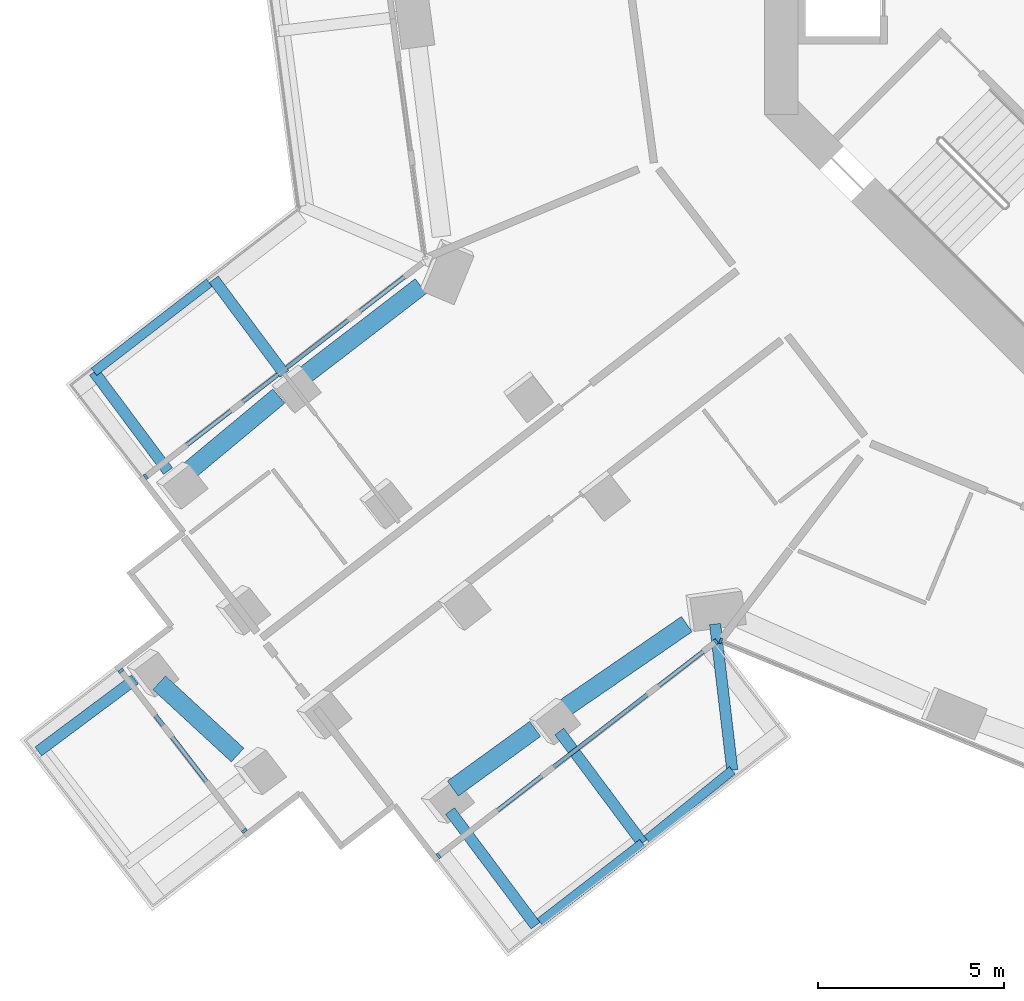
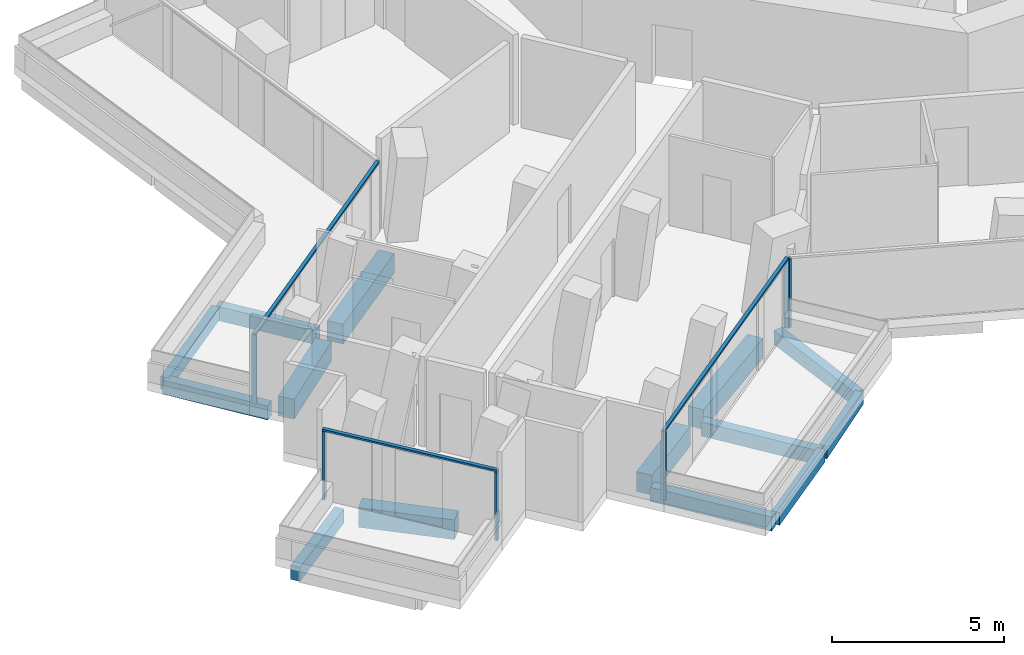
# One storey, part 2 of 27: 14 beams, 9 members, 4 elements without a shape of their own.
"""IFC4 building model written with IfcOpenShell, lengths in metres."""

from ifc_helpers import new_model, si_unit, direction, frame, origin, origin_2d, place, context, subcontext, project, spatial, rectangle, extrude, material, layer, layer_set, material_profile, profile_set, type_object, element, aggregate, save


model = new_model("IFC4")

# Units and contexts
model_context = context("Model", 3, precision=1e-05, world=origin(), true_north=direction((0.0, 1.0)))
body_context = subcontext(model_context, "Body", "Model", "MODEL_VIEW")
ifc_project = project(units=[si_unit("LENGTHUNIT", "METRE"), si_unit("AREAUNIT", "SQUARE_METRE"), si_unit("VOLUMEUNIT", "CUBIC_METRE"), si_unit("PLANEANGLEUNIT", "RADIAN"), si_unit("MASSUNIT", "GRAM", prefix="KILO")], contexts=[model_context])

# Site, building, storey
site_placement = place(None, origin())
site = spatial("IfcSite", under=ifc_project, at=site_placement, CompositionType="ELEMENT")
building_placement = place(site_placement, origin())
building = spatial("IfcBuilding", under=site, at=building_placement, Name="Verdalira Terraces Hotel", CompositionType="ELEMENT")
storey_placement = place(building_placement, frame((0.0, 0.0, 64.5)))
storey = spatial("IfcBuildingStorey", under=building, at=storey_placement, Name="L14", CompositionType="ELEMENT", Elevation=64.5)

# Beams
ifc_material_1 = material(Name="Concrete C40", Category="concrete")
ifc_material_profile_1 = material_profile(ifc_material_1, rectangle(XDim=0.300049, YDim=0.5, at=origin_2d()), Name="RC 300X500")
ifc_profile_set_1 = profile_set([ifc_material_profile_1], Name="Concrete C40")
beam_type_1 = type_object("IfcBeamType", Name="Balcony cantilever beam RC 300X500 C40", PredefinedType="BEAM", material=ifc_profile_set_1)
beam_1_placement = place(storey_placement, frame((-26.876221, -12.754395, -0.560059), z_axis=(-0.597888536, 0.801579253, 0.0), x_axis=(-0.801579253, -0.597888536, 0.0)))
element("IfcBeam", 1, at=beam_1_placement, inside=storey, type_object=beam_type_1, Name="Balcony cantilever beam R13-1", PredefinedType="BEAM", context=body_context, shape_type="SweptSolid", body=[
    extrude(rectangle(XDim=0.300049, YDim=0.5, at=origin_2d()), origin(), (0.0, 0.0, 1.0), 3.166748),
])
beam_2_placement = place(storey_placement, frame((-29.996582, -15.360596, -0.560059), z_axis=(-0.597869505, 0.801593447, 0.0), x_axis=(-0.801593447, -0.597869505, 0.0)))
element("IfcBeam", 2, at=beam_2_placement, inside=storey, type_object=beam_type_1, Name="Balcony cantilever beam R13-2", PredefinedType="BEAM", context=body_context, shape_type="SweptSolid", body=[
    extrude(rectangle(XDim=0.300049, YDim=0.5, at=origin_2d()), origin(), (0.0, 0.0, 1.0), 3.322021),
])
beam_3_placement = place(storey_placement, frame((-30.886719, -20.949219, -0.560059), z_axis=(-0.801593703, -0.597869162, 0.0), x_axis=(0.597869162, -0.801593703, 0.0)))
element("IfcBeam", 3, at=beam_3_placement, inside=storey, type_object=beam_type_1, Name="Balcony cantilever beam R19-1", PredefinedType="BEAM", context=body_context, shape_type="SweptSolid", body=[
    extrude(rectangle(XDim=0.300049, YDim=0.5, at=origin_2d()), origin(), (0.0, 0.0, 1.0), 3.229736),
])
beam_4_placement = place(storey_placement, frame((-22.431396, -24.478516, -0.560059), z_axis=(0.597911851, -0.801561862, 0.0), x_axis=(0.801561862, 0.597911851, 0.0)))
element("IfcBeam", 4, at=beam_4_placement, inside=storey, type_object=beam_type_1, Name="Balcony cantilever beam R24-1", PredefinedType="BEAM", context=body_context, shape_type="SweptSolid", body=[
    extrude(rectangle(XDim=0.300049, YDim=0.5, at=origin_2d()), origin(), (0.0, 0.0, 1.0), 3.838623),
])
beam_5_placement = place(storey_placement, frame((-19.500977, -22.346924, -0.560059), z_axis=(0.597874435, -0.80158977, 0.0), x_axis=(0.80158977, 0.597874435, 0.0)))
element("IfcBeam", 5, at=beam_5_placement, inside=storey, type_object=beam_type_1, Name="Balcony cantilever beam R24-2", PredefinedType="BEAM", context=body_context, shape_type="SweptSolid", body=[
    extrude(rectangle(XDim=0.300049, YDim=0.5, at=origin_2d()), origin(), (0.0, 0.0, 1.0), 3.734375),
])
beam_6_placement = place(storey_placement, frame((-15.321533, -19.462891, -0.560059), z_axis=(0.117002622, -0.993131606, 0.0), x_axis=(0.993131606, 0.117002622, 0.0)))
element("IfcBeam", 6, at=beam_6_placement, inside=storey, type_object=beam_type_1, Name="Balcony cantilever beam R24-3", PredefinedType="BEAM", context=body_context, shape_type="SweptSolid", body=[
    extrude(rectangle(XDim=0.300049, YDim=0.5, at=origin_2d()), origin(), (0.0, 0.0, 1.0), 3.949951),
])
ifc_material_2 = material(Name="Concrete C40", Category="concrete")
ifc_material_profile_2 = material_profile(ifc_material_2, rectangle(XDim=0.25, YDim=0.449951, at=origin_2d()), Name="RC 250X450")
ifc_profile_set_2 = profile_set([ifc_material_profile_2], Name="Concrete C40")
beam_type_2 = type_object("IfcBeamType", Name="Balcony edge beam RC 250X450 C40", PredefinedType="BEAM", material=ifc_profile_set_2)
beam_7_placement = place(storey_placement, frame((-28.888184, -10.307861, -0.534912), z_axis=(-0.791445642, -0.611239557, 0.0), x_axis=(0.611239557, -0.791445642, 0.0)))
element("IfcBeam", 7, at=beam_7_placement, inside=storey, type_object=beam_type_2, Name="Balcony edge beam R13-1", PredefinedType="BEAM", context=body_context, shape_type="SweptSolid", body=[
    extrude(rectangle(XDim=0.25, YDim=0.449951, at=origin_2d()), origin(), (0.0, 0.0, 1.0), 3.909912),
])
beam_8_placement = place(storey_placement, frame((-20.017578, -27.463623, -0.534912), z_axis=(0.791444177, 0.611241454, 0.0), x_axis=(-0.611241454, 0.791444177, 0.0)))
element("IfcBeam", 8, at=beam_8_placement, inside=storey, type_object=beam_type_2, Name="Balcony edge beam R24-1", PredefinedType="BEAM", context=body_context, shape_type="SweptSolid", body=[
    extrude(rectangle(XDim=0.25, YDim=0.449951, at=origin_2d()), origin(), (0.0, 0.0, 1.0), 3.473633),
])
beam_9_placement = place(storey_placement, frame((-17.151611, -25.245605, -0.534912), z_axis=(0.776541371, 0.630066265, 0.0), x_axis=(-0.630066265, 0.776541371, 0.0)))
element("IfcBeam", 9, at=beam_9_placement, inside=storey, type_object=beam_type_2, Name="Balcony edge beam R24-2", PredefinedType="BEAM", context=body_context, shape_type="SweptSolid", body=[
    extrude(rectangle(XDim=0.25, YDim=0.449951, at=origin_2d()), origin(), (0.0, 0.0, 1.0), 2.951904),
])

# Curtain wall, member
ifc_material_3 = material(Name="Clear glass", Category="glass")
ifc_layer_1 = layer(ifc_material_3, 0.14990234375)
ifc_layer_set_1 = layer_set([ifc_layer_1], Name="CW1 curtain wall")
curtain_wall_type_1 = type_object("IfcCurtainWallType", Name="CW1 curtain wall", PredefinedType="NOTDEFINED", material=ifc_layer_set_1)
curtain_wall_1_placement = place(storey_placement, origin())
curtain_wall_1 = element("IfcCurtainWall", 10, at=curtain_wall_1_placement, inside=storey, type_object=curtain_wall_type_1, Name="CW1 curtain wall L14 edge 25", PredefinedType="NOTDEFINED")
ifc_material_4 = material(Name="Terracotta frame", Category="masonry")
ifc_material_profile_3 = material_profile(ifc_material_4, rectangle(XDim=0.060059, YDim=0.149902, at=origin_2d()), Name="MU 60x150")
ifc_profile_set_3 = profile_set([ifc_material_profile_3], Name="Terracotta frame")
member_type_1 = type_object("IfcMemberType", Name="CW1 mullion 60x150", PredefinedType="MULLION", material=ifc_profile_set_3)
member_1_placement = place(storey_placement, frame((-15.169678, -19.914307, 0.0), z_axis=(0.0, 0.0, 1.0), x_axis=(0.925077207, -0.379779096, 0.0)))
member_1 = element("IfcMember", 11, at=member_1_placement, type_object=member_type_1, Name="CW1 mullion", PredefinedType="MULLION", context=body_context, shape_type="SweptSolid", body=[
    extrude(rectangle(XDim=0.060059, YDim=0.149902, at=origin_2d()), origin(), (0.0, 0.0, 1.0), 2.425049),
])
aggregate(curtain_wall_1, [member_1])

ifc_material_5 = material(Name="Clear glass", Category="glass")
ifc_layer_2 = layer(ifc_material_5, 0.14990234375)
ifc_layer_set_2 = layer_set([ifc_layer_2], Name="CW2 curtain wall")
curtain_wall_type_2 = type_object("IfcCurtainWallType", Name="CW2 curtain wall", PredefinedType="NOTDEFINED", material=ifc_layer_set_2)
curtain_wall_2_placement = place(storey_placement, origin())
curtain_wall_2 = element("IfcCurtainWall", 12, at=curtain_wall_2_placement, inside=storey, type_object=curtain_wall_type_2, Name="CW2 curtain wall L14 edge 14", PredefinedType="NOTDEFINED")
ifc_material_6 = material(Name="Terracotta frame", Category="masonry")
ifc_material_profile_4 = material_profile(ifc_material_6, rectangle(XDim=0.070068, YDim=0.149902, at=origin_2d()), Name="MU 70x150")
ifc_profile_set_4 = profile_set([ifc_material_profile_4], Name="Terracotta frame")
member_type_2 = type_object("IfcMemberType", Name="CW2 mullion 70x150", PredefinedType="MULLION", material=ifc_profile_set_4)
member_2_placement = place(storey_placement, frame((-30.594238, -15.510742, 0.0), z_axis=(0.0, 0.0, 1.0), x_axis=(-0.791436948, -0.611250814, 0.0)))
member_2 = element("IfcMember", 13, at=member_2_placement, type_object=member_type_2, Name="CW2 mullion", PredefinedType="MULLION", context=body_context, shape_type="SweptSolid", body=[
    extrude(rectangle(XDim=0.070068, YDim=0.149902, at=origin_2d()), origin(), (0.0, 0.0, 1.0), 2.425049),
])

# Curtain wall, members
curtain_wall_3_placement = place(storey_placement, origin())
curtain_wall_3 = element("IfcCurtainWall", 14, at=curtain_wall_3_placement, inside=storey, type_object=curtain_wall_type_2, Name="CW2 curtain wall L14 edge 24", PredefinedType="NOTDEFINED")
member_3_placement = place(storey_placement, frame((-22.739502, -25.680664, 0.0), z_axis=(0.0, 0.0, 1.0), x_axis=(0.791436948, 0.611250814, 0.0)))
member_3 = element("IfcMember", 15, at=member_3_placement, type_object=member_type_2, Name="CW2 mullion", PredefinedType="MULLION", context=body_context, shape_type="SweptSolid", body=[
    extrude(rectangle(XDim=0.070068, YDim=0.149902, at=origin_2d()), origin(), (0.0, 0.0, 1.0), 2.425049),
])
member_4_placement = place(storey_placement, frame((-15.299316, -19.934326, 0.0), z_axis=(0.0, 0.0, 1.0), x_axis=(0.791436948, 0.611250814, 0.0)))
member_4 = element("IfcMember", 16, at=member_4_placement, type_object=member_type_2, Name="CW2 mullion", PredefinedType="MULLION", context=body_context, shape_type="SweptSolid", body=[
    extrude(rectangle(XDim=0.070068, YDim=0.149902, at=origin_2d()), origin(), (0.0, 0.0, 1.0), 2.425049),
])

# Member
ifc_material_7 = material(Name="Terracotta frame", Category="masonry")
ifc_material_profile_5 = material_profile(ifc_material_7, rectangle(XDim=0.11499, YDim=0.064941, at=origin_2d()), Name="TR 65x115")
ifc_profile_set_5 = profile_set([ifc_material_profile_5], Name="Terracotta frame")
member_type_3 = type_object("IfcMemberType", Name="CW2 transom 65x115", PredefinedType="USERDEFINED", material=ifc_profile_set_5)
member_5_placement = place(storey_placement, frame((-23.126221, -9.74292, 2.45752), z_axis=(-0.791438044, -0.611249394, 0.0), x_axis=(0.611249394, -0.791438044, 0.0)))
member_5 = element("IfcMember", 17, at=member_5_placement, type_object=member_type_3, Name="CW2 transom", ObjectType="TRANSOM", PredefinedType="USERDEFINED", context=body_context, shape_type="SweptSolid", body=[
    extrude(rectangle(XDim=0.11499, YDim=0.064941, at=origin_2d()), origin(), (0.0, 0.0, 1.0), 9.470947),
])

aggregate(curtain_wall_2, [member_2, member_5])

member_6_placement = place(storey_placement, frame((-22.767334, -25.702148, 2.45752), z_axis=(0.791425574, 0.611265541, 0.0), x_axis=(-0.611265541, 0.791425574, 0.0)))
member_6 = element("IfcMember", 18, at=member_6_placement, type_object=member_type_3, Name="CW2 transom", ObjectType="TRANSOM", PredefinedType="USERDEFINED", context=body_context, shape_type="SweptSolid", body=[
    extrude(rectangle(XDim=0.11499, YDim=0.064941, at=origin_2d()), origin(), (0.0, 0.0, 1.0), 9.470947),
])

aggregate(curtain_wall_3, [member_3, member_4, member_6])

# Curtain wall, members
ifc_material_8 = material(Name="Clear glass", Category="glass")
ifc_layer_3 = layer(ifc_material_8, 0.14990234375)
ifc_layer_set_3 = layer_set([ifc_layer_3], Name="CW3 curtain wall")
curtain_wall_type_3 = type_object("IfcCurtainWallType", Name="CW3 curtain wall", PredefinedType="NOTDEFINED", material=ifc_layer_set_3)
curtain_wall_4_placement = place(storey_placement, origin())
curtain_wall_4 = element("IfcCurtainWall", 19, at=curtain_wall_4_placement, inside=storey, type_object=curtain_wall_type_3, Name="CW3 curtain wall L14 edge 19", PredefinedType="NOTDEFINED")
ifc_material_9 = material(Name="Terracotta frame", Category="masonry")
ifc_material_profile_6 = material_profile(ifc_material_9, rectangle(XDim=0.080078, YDim=0.149902, at=origin_2d()), Name="MU 80x150")
ifc_profile_set_6 = profile_set([ifc_material_profile_6], Name="Terracotta frame")
member_type_4 = type_object("IfcMemberType", Name="CW3 mullion 80x150", PredefinedType="MULLION", material=ifc_profile_set_6)
member_7_placement = place(storey_placement, frame((-31.259521, -20.718506, 0.0), z_axis=(0.0, 0.0, 1.0), x_axis=(0.611250814, -0.791436948, 0.0)))
member_7 = element("IfcMember", 20, at=member_7_placement, type_object=member_type_4, Name="CW3 mullion", PredefinedType="MULLION", context=body_context, shape_type="SweptSolid", body=[
    extrude(rectangle(XDim=0.080078, YDim=0.149902, at=origin_2d()), origin(), (0.0, 0.0, 1.0), 2.425049),
])
member_8_placement = place(storey_placement, frame((-27.946533, -25.008301, 0.0), z_axis=(0.0, 0.0, 1.0), x_axis=(0.611250814, -0.791436948, 0.0)))
member_8 = element("IfcMember", 21, at=member_8_placement, type_object=member_type_4, Name="CW3 mullion", PredefinedType="MULLION", context=body_context, shape_type="SweptSolid", body=[
    extrude(rectangle(XDim=0.080078, YDim=0.149902, at=origin_2d()), origin(), (0.0, 0.0, 1.0), 2.425049),
])
ifc_material_10 = material(Name="Terracotta frame", Category="masonry")
ifc_material_profile_7 = material_profile(ifc_material_10, rectangle(XDim=0.120117, YDim=0.064941, at=origin_2d()), Name="TR 65x120")
ifc_profile_set_7 = profile_set([ifc_material_profile_7], Name="Terracotta frame")
member_type_5 = type_object("IfcMemberType", Name="CW3 transom 65x120", PredefinedType="USERDEFINED", material=ifc_profile_set_7)
member_9_placement = place(storey_placement, frame((-31.28418, -20.687012, 2.45752), z_axis=(0.611281991, -0.791412868, 0.0), x_axis=(0.791412868, 0.611281991, 0.0)))
member_9 = element("IfcMember", 22, at=member_9_placement, type_object=member_type_5, Name="CW3 transom", ObjectType="TRANSOM", PredefinedType="USERDEFINED", context=body_context, shape_type="SweptSolid", body=[
    extrude(rectangle(XDim=0.120117, YDim=0.064941, at=origin_2d()), origin(), (0.0, 0.0, 1.0), 5.5),
])
aggregate(curtain_wall_4, [member_7, member_8, member_9])

# Beams
ifc_material_11 = material(Name="Concrete C70", Category="concrete")
ifc_material_profile_8 = material_profile(ifc_material_11, rectangle(XDim=0.5, YDim=0.699951, at=origin_2d()), Name="RC 500X700")
ifc_profile_set_8 = profile_set([ifc_material_profile_8], Name="Concrete C70")
beam_type_3 = type_object("IfcBeamType", Name="Spandrel beam RC 500X700 C70", PredefinedType="SPANDREL", material=ifc_profile_set_8)
beam_10_placement = place(storey_placement, frame((-23.213867, -10.397217, -0.659912), z_axis=(-0.79295935, -0.609274544, 0.0), x_axis=(0.609274544, -0.79295935, 0.0)))
element("IfcBeam", 23, at=beam_10_placement, inside=storey, type_object=beam_type_3, Name="Spandrel beam B14", PredefinedType="SPANDREL", context=body_context, shape_type="SweptSolid", body=[
    extrude(rectangle(XDim=0.5, YDim=0.699951, at=origin_2d()), origin(), (0.0, 0.0, 1.0), 3.895752),
])
beam_11_placement = place(storey_placement, frame((-27.026123, -13.349609, -0.659912), z_axis=(-0.768489096, -0.639862883, 0.0), x_axis=(0.639862883, -0.768489096, 0.0)))
element("IfcBeam", 24, at=beam_11_placement, inside=storey, type_object=beam_type_3, Name="Spandrel beam B15", PredefinedType="SPANDREL", context=body_context, shape_type="SweptSolid", body=[
    extrude(rectangle(XDim=0.5, YDim=0.699951, at=origin_2d()), origin(), (0.0, 0.0, 1.0), 3.137451),
])
beam_12_placement = place(storey_placement, frame((-30.235352, -21.035889, -0.659912), z_axis=(0.734832848, -0.678248248, 0.0), x_axis=(0.678248248, 0.734832848, 0.0)))
element("IfcBeam", 25, at=beam_12_placement, inside=storey, type_object=beam_type_3, Name="Spandrel beam B16", PredefinedType="SPANDREL", context=body_context, shape_type="SweptSolid", body=[
    extrude(rectangle(XDim=0.5, YDim=0.699951, at=origin_2d()), origin(), (0.0, 0.0, 1.0), 2.86499),
])
beam_13_placement = place(storey_placement, frame((-22.35498, -23.876709, -0.659912), z_axis=(0.809440207, 0.587202309, 0.0), x_axis=(-0.587202309, 0.809440207, 0.0)))
element("IfcBeam", 26, at=beam_13_placement, inside=storey, type_object=beam_type_3, Name="Spandrel beam B17", PredefinedType="SPANDREL", context=body_context, shape_type="SweptSolid", body=[
    extrude(rectangle(XDim=0.5, YDim=0.699951, at=origin_2d()), origin(), (0.0, 0.0, 1.0), 2.726562),
])
beam_14_placement = place(storey_placement, frame((-19.39624, -21.744873, -0.659912), z_axis=(0.823971082, 0.566631852, 0.0), x_axis=(-0.566631852, 0.823971082, 0.0)))
element("IfcBeam", 27, at=beam_14_placement, inside=storey, type_object=beam_type_3, Name="Spandrel beam B18", PredefinedType="SPANDREL", context=body_context, shape_type="SweptSolid", body=[
    extrude(rectangle(XDim=0.5, YDim=0.699951, at=origin_2d()), origin(), (0.0, 0.0, 1.0), 4.022461),
])

save(model, "model.ifc")
